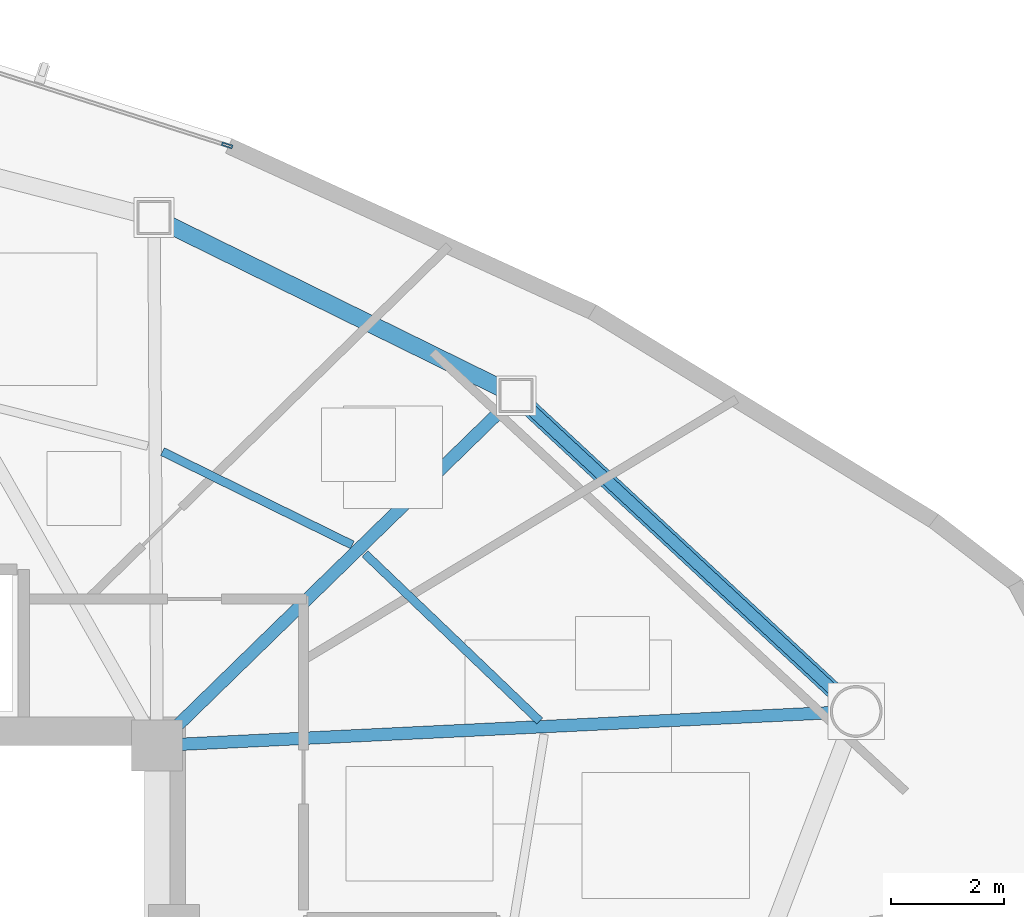
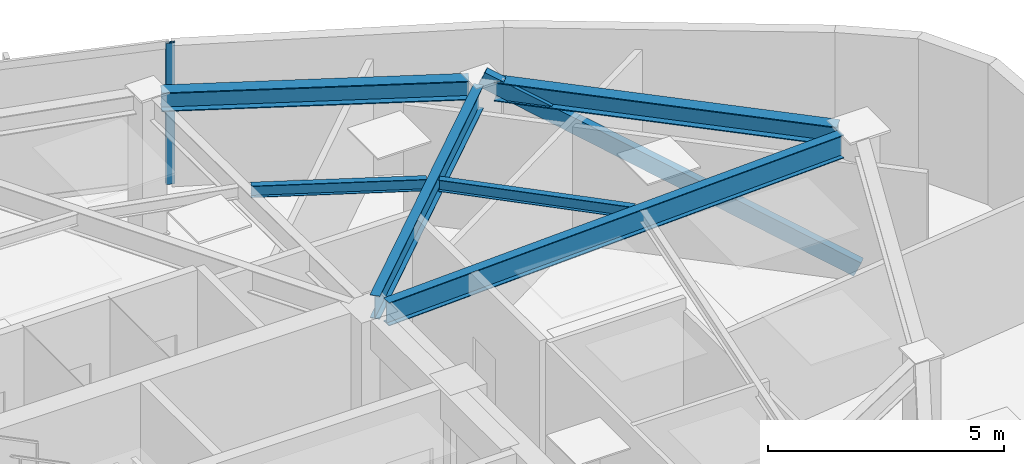
# One storey, part 7 of 14: 6 beams, 2 members, 1 element without a shape of its own.
"""IFC4 building model written with IfcOpenShell, lengths in metres."""

from ifc_helpers import new_model, si_unit, direction, frame, origin, origin_2d, place, context, subcontext, project, spatial, hollow_rectangle, i_section, extrude, source, transform, mapped, material, layer, layer_set, material_profile, profile_set, type_object, type_shapes, element, aggregate, save


model = new_model("IFC4")

# Units and contexts
model_context = context("Model", 3, precision=1e-05, world=origin(), true_north=direction((0.0, 1.0)))
body_context = subcontext(model_context, "Body", "Model", "MODEL_VIEW")
ifc_project = project(units=[si_unit("LENGTHUNIT", "METRE"), si_unit("AREAUNIT", "SQUARE_METRE"), si_unit("VOLUMEUNIT", "CUBIC_METRE"), si_unit("PLANEANGLEUNIT", "RADIAN"), si_unit("MASSUNIT", "GRAM", prefix="KILO")], contexts=[model_context])

# Site, building, storey
site_placement = place(None, origin())
site = spatial("IfcSite", under=ifc_project, at=site_placement, CompositionType="ELEMENT")
building_placement = place(site_placement, origin())
building = spatial("IfcBuilding", under=site, at=building_placement, Name="Tavelor Broadcast Tower", CompositionType="ELEMENT")
storey_placement = place(building_placement, frame((0.0, 0.0, 234.0)))
storey = spatial("IfcBuildingStorey", under=building, at=storey_placement, Name="L55", CompositionType="ELEMENT", Elevation=234.0)

# Beams
ifc_material_1 = material(Name="Steel S355", Category="steel")
ifc_material_profile_1 = material_profile(ifc_material_1, i_section(OverallWidth=0.14990234375, OverallDepth=0.300048828125, WebThickness=0.007080078125, FlangeThickness=0.0107421875, at=origin_2d()), Name="IPE 300")
ifc_profile_set_1 = profile_set([ifc_material_profile_1], Name="Steel S355")
beam_type_1 = type_object("IfcBeamType", Name="Composite Floor Joist T5 IPE 300", PredefinedType="JOIST", material=ifc_profile_set_1)
beam_1_placement = place(storey_placement, frame((63.3427734375, 51.629150390625, 3.5), z_axis=(-0.722407874214, 0.691467181632, 0.0), x_axis=(-0.691467181632, -0.722407874214, 0.0)))
element("IfcBeam", 1, at=beam_1_placement, inside=storey, type_object=beam_type_1, Name="L55 Secondary Composite Floor Joist 13", PredefinedType="JOIST", context=body_context, shape_type="SweptSolid", body=[
    extrude(i_section(OverallWidth=0.14990234375, OverallDepth=0.300048828125, WebThickness=0.007080078125, FlangeThickness=0.0107421875, at=origin_2d()), origin(), (0.0, 0.0, 1.0), 4.260986328125),
])
beam_2_placement = place(storey_placement, frame((60.038818359375, 54.7333984375, 3.5), z_axis=(-0.897394619692, 0.441228848272, 0.0), x_axis=(-0.441228848272, -0.897394619692, 0.0)))
element("IfcBeam", 2, at=beam_2_placement, inside=storey, type_object=beam_type_1, Name="L55 Secondary Composite Floor Joist 14", PredefinedType="JOIST", context=body_context, shape_type="SweptSolid", body=[
    extrude(i_section(OverallWidth=0.14990234375, OverallDepth=0.300048828125, WebThickness=0.007080078125, FlangeThickness=0.0107421875, at=origin_2d()), origin(), (0.0, 0.0, 1.0), 3.7265625),
])
ifc_material_profile_2 = material_profile(ifc_material_1, i_section(OverallWidth=0.300048828125, OverallDepth=0.489990234375, WebThickness=0.011962890625, FlangeThickness=0.02294921875, at=origin_2d()), Name="HEA 500")
ifc_profile_set_2 = profile_set([ifc_material_profile_2], Name="Steel S355")
beam_type_2 = type_object("IfcBeamType", Name="Perimeter Spandrel Beam T5 HEA 500", PredefinedType="SPANDREL", material=ifc_profile_set_2)
beam_3_placement = place(storey_placement, frame((68.59814453125, 52.09765625, 3.405029296875), z_axis=(-0.732770151307, 0.680476234231, 0.0), x_axis=(-0.680476234231, -0.732770151307, 0.0)))
element("IfcBeam", 3, at=beam_3_placement, inside=storey, type_object=beam_type_2, Name="L55 Framed-Tube Ring Spandrel 13", PredefinedType="SPANDREL", context=body_context, shape_type="SweptSolid", body=[
    extrude(i_section(OverallWidth=0.300048828125, OverallDepth=0.489990234375, WebThickness=0.011962890625, FlangeThickness=0.02294921875, at=origin_2d()), origin(), (0.0, 0.0, 1.0), 7.451171875),
])
beam_4_placement = place(storey_placement, frame((62.668701171875, 57.4912109375, 3.405029296875), z_axis=(-0.897262651787, 0.441497150284, 0.0), x_axis=(-0.441497150284, -0.897262651787, 0.0)))
element("IfcBeam", 4, at=beam_4_placement, inside=storey, type_object=beam_type_2, Name="L55 Framed-Tube Ring Spandrel 14", PredefinedType="SPANDREL", context=body_context, shape_type="SweptSolid", body=[
    extrude(i_section(OverallWidth=0.300048828125, OverallDepth=0.489990234375, WebThickness=0.011962890625, FlangeThickness=0.02294921875, at=origin_2d()), origin(), (0.0, 0.0, 1.0), 6.536376953125),
])

# Member
ifc_material_profile_3 = material_profile(ifc_material_1, hollow_rectangle(XDim=0.199951171875, YDim=0.39990234375, WallThickness=0.01611328125, at=origin_2d()), Name="RHS 400x200x16")
ifc_profile_set_3 = profile_set([ifc_material_profile_3], Name="Steel S355")
member_type_1 = type_object("IfcMemberType", Name="Perimeter Tube Brace T5 RHS 400x200x16", PredefinedType="BRACE", material=ifc_profile_set_3)
member_1_placement = place(storey_placement, frame((68.919677734375, 51.799072265625, 0.0), z_axis=(-0.669140005594, 0.621404656244, 0.407563376803), x_axis=(-0.680486595916, -0.732760528944, 0.0)))
element("IfcMember", 5, at=member_1_placement, inside=storey, type_object=member_type_1, Name="L55 Corner Tube Diagonal Brace 3", PredefinedType="BRACE", context=body_context, shape_type="SweptSolid", body=[
    extrude(hollow_rectangle(XDim=0.199951171875, YDim=0.39990234375, WallThickness=0.01611328125, at=origin_2d()), origin(), (0.0, 0.0, 1.0), 8.955322265625),
])

# Beams
ifc_material_profile_4 = material_profile(ifc_material_1, i_section(OverallWidth=0.219970703125, OverallDepth=0.60009765625, WebThickness=0.011962890625, FlangeThickness=0.01904296875, at=origin_2d()), Name="IPE 600")
ifc_profile_set_4 = profile_set([ifc_material_profile_4], Name="Steel S355")
beam_type_3 = type_object("IfcBeamType", Name="Radial Floor Girder T5 IPE 600", PredefinedType="BEAM", material=ifc_profile_set_4)
beam_5_placement = place(storey_placement, frame((57.031494140625, 51.220947265625, 3.35009765625), z_axis=(0.998819342989, 0.048579008537, 0.0), x_axis=(-0.048579008537, 0.998819342989, 0.0)))
element("IfcBeam", 6, at=beam_5_placement, inside=storey, type_object=beam_type_3, Name="L55 Radial Primary Floor Girder 13", PredefinedType="BEAM", context=body_context, shape_type="SweptSolid", body=[
    extrude(i_section(OverallWidth=0.219970703125, OverallDepth=0.60009765625, WebThickness=0.011962890625, FlangeThickness=0.01904296875, at=origin_2d()), origin(), (0.0, 0.0, 1.0), 11.46337890625),
])
beam_6_placement = place(storey_placement, frame((56.909423828125, 51.50146484375, 3.35009765625), z_axis=(0.716299388852, 0.697793082175, 0.0), x_axis=(-0.697793082175, 0.716299388852, 0.0)))
element("IfcBeam", 7, at=beam_6_placement, inside=storey, type_object=beam_type_3, Name="L55 Radial Primary Floor Girder 14", PredefinedType="BEAM", context=body_context, shape_type="SweptSolid", body=[
    extrude(i_section(OverallWidth=0.219970703125, OverallDepth=0.60009765625, WebThickness=0.011962890625, FlangeThickness=0.01904296875, at=origin_2d()), origin(), (0.0, 0.0, 1.0), 8.11328125),
])

# Curtain wall, member
ifc_material_2 = material(Name="Architectural Anodized Aluminium", Category="aluminium")
ifc_layer = layer(ifc_material_2, 0.199951171875)
ifc_layer_set = layer_set([ifc_layer], Name="Architectural Anodized Aluminium")
curtain_wall_type = type_object("IfcCurtainWallType", Name="Tower High-Zone Triple-Glazed Curtain Wall CW04", PredefinedType="NOTDEFINED", material=ifc_layer_set)
curtain_wall_placement = place(storey_placement, origin())
curtain_wall = element("IfcCurtainWall", 8, at=curtain_wall_placement, inside=storey, type_object=curtain_wall_type, Name="L55 Curtain Wall CW04 Run 597", PredefinedType="NOTDEFINED")
ifc_material_profile_5 = material_profile(ifc_material_2, hollow_rectangle(XDim=0.070068359375, YDim=0.199951171875, WallThickness=0.02197265625, at=origin_2d()), Name="RHS 70x200x22")
ifc_profile_set_5 = profile_set([ifc_material_profile_5], Name="Architectural Anodized Aluminium")
member_type_2 = type_object("IfcMemberType", Name="CW04 Extruded Aluminium Mullion 70x200", PredefinedType="MULLION", material=ifc_profile_set_5)
shared_shape = source(origin(), body_context, "Body", "SweptSolid", [
    extrude(hollow_rectangle(XDim=0.070068359375, YDim=0.199951171875, WallThickness=0.02197265625, at=origin_2d()), origin(), (0.0, 0.0, 1.0), 3.64990234375),
])
type_shapes(member_type_2, [shared_shape])
member_2_placement = place(storey_placement, frame((57.834228515625, 61.774658203125, 0.0), z_axis=(0.0, 0.0, 1.0), x_axis=(-0.301959734691, -0.953320679848, 0.0)))
member_2 = element("IfcMember", 9, at=member_2_placement, type_object=member_type_2, Name="CW04 mullion 1", PredefinedType="MULLION", context=body_context, shape_type="MappedRepresentation", body=[
    mapped(shared_shape, transform((0.0, 0.0, 0.0), scale=1.0)),
])
aggregate(curtain_wall, [member_2])

save(model, "model.ifc")
